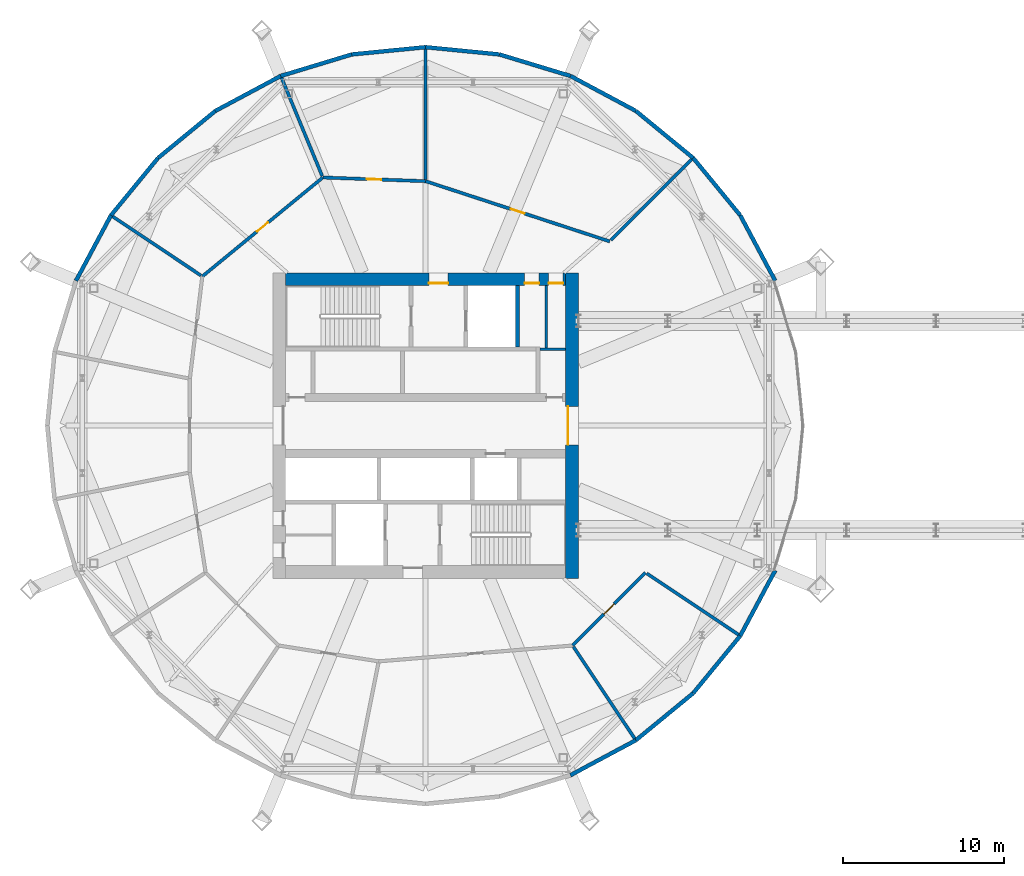
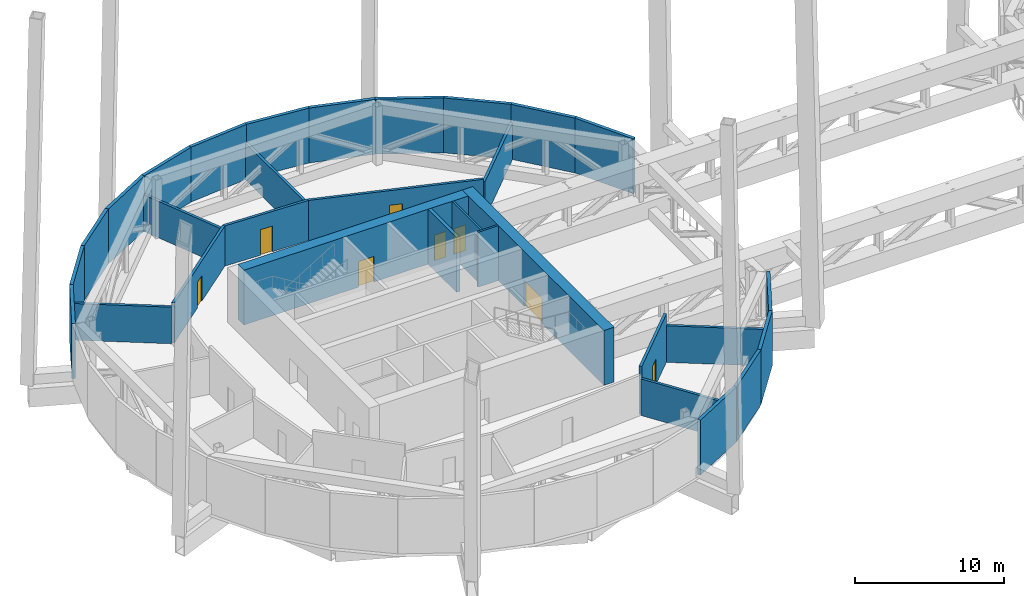
# One storey, part 14 of 19: 31 walls, 8 doors, 8 openings.
"""IFC4 building model written with IfcOpenShell, lengths in metres."""

from ifc_helpers import new_model, si_unit, direction, frame, frame_2d, origin, place, context, subcontext, project, spatial, rectangle, extrude, material, layer, layer_set, type_object, element, fill, save


model = new_model("IFC4")

# Units and contexts
model_context = context("Model", 3, precision=1e-05, world=origin(), true_north=direction((0.0, 1.0)))
body_context = subcontext(model_context, "Body", "Model", "MODEL_VIEW")
ifc_project = project(units=[si_unit("LENGTHUNIT", "METRE"), si_unit("AREAUNIT", "SQUARE_METRE"), si_unit("VOLUMEUNIT", "CUBIC_METRE"), si_unit("PLANEANGLEUNIT", "RADIAN"), si_unit("MASSUNIT", "GRAM", prefix="KILO")], contexts=[model_context])

# Site, building, storey
site_placement = place(None, origin())
site = spatial("IfcSite", under=ifc_project, at=site_placement, CompositionType="ELEMENT")
building_placement = place(site_placement, origin())
building = spatial("IfcBuilding", under=site, at=building_placement, Name="Ogive Gate Towers", CompositionType="ELEMENT")
storey_placement = place(building_placement, frame((0.0, 0.0, 130.800048828125)))
storey = spatial("IfcBuildingStorey", under=building, at=storey_placement, Name="L31", CompositionType="ELEMENT", Elevation=130.800048828125)

# Walls
ifc_material_1 = material(Name="Fire-rated block compartment wall")
ifc_layer_1 = layer(ifc_material_1, 0.199951171875)
ifc_layer_set_1 = layer_set([ifc_layer_1], Name="Compartment wall 200")
wall_type_1 = type_object("IfcWallType", Name="Compartment wall 200", PredefinedType="PARTITIONING", material=ifc_layer_set_1)
wall_1_placement = place(storey_placement, frame((-19.347900390625, 16.652099609375, 0.0), z_axis=(0.0, 0.0, 1.0), x_axis=(-0.707106781187, -0.707106781187, 0.0)))
element("IfcWall", 1, at=wall_1_placement, inside=storey, type_object=wall_type_1, Name="Partition T1-L31-001", PredefinedType="PARTITIONING", context=body_context, shape_type="SweptSolid", body=[
    extrude(rectangle(XDim=7.25927734375, YDim=0.199951171875, at=frame_2d((3.629638671875, 0.0))), origin(), (0.0, 0.0, 1.0), 3.0),
])
wall_2_placement = place(storey_placement, frame((-36.0, 23.549560546875, 0.0), z_axis=(0.0, 0.0, 1.0), x_axis=(0.0, -1.0, 0.0)))
element("IfcWall", 2, at=wall_2_placement, inside=storey, type_object=wall_type_1, Name="Partition T1-L31-002", PredefinedType="PARTITIONING", context=body_context, shape_type="SweptSolid", body=[
    extrude(rectangle(XDim=8.257568359375, YDim=0.199951171875, at=frame_2d((4.12890625, 0.0))), origin(), (0.0, 0.0, 1.0), 3.0),
])
wall_3_placement = place(storey_placement, frame((-45.011962890625, 21.7568359375, 0.0), z_axis=(0.0, 0.0, 1.0), x_axis=(0.38268790388, -0.923877680336, 0.0)))
element("IfcWall", 3, at=wall_3_placement, inside=storey, type_object=wall_type_1, Name="Partition T1-L31-003", PredefinedType="PARTITIONING", context=body_context, shape_type="SweptSolid", body=[
    extrude(rectangle(XDim=6.75732421875, YDim=0.199951171875, at=frame_2d((3.378662109375, 0.0))), origin(), (0.0, 0.0, 1.0), 3.0),
])
wall_4_placement = place(storey_placement, frame((-55.580810546875, 13.08349609375, 0.0), z_axis=(0.0, 0.0, 1.0), x_axis=(0.831471804382, -0.555566952326, 0.0)))
element("IfcWall", 4, at=wall_4_placement, inside=storey, type_object=wall_type_1, Name="Partition T1-L31-004", PredefinedType="PARTITIONING", context=body_context, shape_type="SweptSolid", body=[
    extrude(rectangle(XDim=6.7578125, YDim=0.199951171875, at=frame_2d((3.37890625, 0.0))), origin(), (0.0, 0.0, 1.0), 3.0),
])
for number, where, z_axis, x_axis, name in (
    (5, (-22.91650390625, -19.580810546875, 0.0), (0.0, 0.0, 1.0), (-0.555576221345, 0.831465611, 0.0), "Partition T1-L31-010"),
    (6, (-16.419189453125, -13.08349609375, 0.0), (0.0, 0.0, 1.0), (-0.831465611, 0.555576221345, 0.0), "Partition T1-L31-011"),
):
    element("IfcWall", number, at=place(storey_placement, frame(where, z_axis=z_axis, x_axis=x_axis)), inside=storey, type_object=wall_type_1, Name=name, PredefinedType="PARTITIONING", context=body_context, shape_type="SweptSolid", body=[
        extrude(rectangle(XDim=7.0078125, YDim=0.199951171875, at=frame_2d((3.50390625, 0.0))), origin(), (0.0, 0.0, 1.0), 3.0),
    ])

# Wall, opening, door
wall_5_placement = place(storey_placement, frame((-24.551513671875, 11.448486328125, 0.0), z_axis=(0.0, 0.0, 1.0), x_axis=(-0.950479781846, 0.310786396585, 0.0)))
wall_5 = element("IfcWall", 7, at=wall_5_placement, inside=storey, type_object=wall_type_1, Name="Partition T1-L31-012", PredefinedType="PARTITIONING", context=body_context, shape_type="SweptSolid", body=[
    extrude(rectangle(XDim=12.044921875, YDim=0.199951171875, at=frame_2d((6.0224609375, 0.0))), origin(), (0.0, 0.0, 1.0), 3.300048828125),
])
opening_1_placement = place(wall_5_placement, frame((5.572021484375, 0.0, 0.0)))
opening_1 = element("IfcOpeningElement", 8, at=opening_1_placement, cuts=wall_5, Name="Opening T1-L31-D01", PredefinedType="OPENING", context=body_context, shape_type="SweptSolid", body=[
    extrude(rectangle(XDim=0.89990234375, YDim=2.10009765625, at=frame_2d((0.449951171875, 1.050048828125))), frame((0.0, 0.10986328125, 0.0), z_axis=(0.0, -1.0, 0.0), x_axis=(1.0, 0.0, 0.0)), (0.0, 0.0, 1.0), 0.219970703125),
])
ifc_material_2 = material(Name="Steel fire door", Category="steel")
door_type_1 = type_object("IfcDoorType", Name="Fire door 900 FD30S", OperationType="NOTDEFINED", PredefinedType="DOOR", material=ifc_material_2)
door_1_placement = place(opening_1_placement, origin())
door_1 = element("IfcDoor", 9, at=door_1_placement, inside=storey, type_object=door_type_1, Name="Door T1-L31-D01", OperationType="SINGLE_SWING_RIGHT", OverallHeight=2.10009765625, OverallWidth=0.89990234375, PredefinedType="DOOR", context=body_context, shape_type="SweptSolid", body=[
    extrude(rectangle(XDim=0.89990234375, YDim=2.10009765625, at=frame_2d((0.449951171875, 1.050048828125))), frame((0.0, 0.02490234375, 0.0), z_axis=(0.0, -1.0, 0.0), x_axis=(1.0, 0.0, 0.0)), (0.0, 0.0, 1.0), 0.050048828125),
])
fill(opening_1, door_1)

wall_6_placement = place(storey_placement, frame((-36.0, 15.19189453125, 0.0), z_axis=(0.0, 0.0, 1.0), x_axis=(-0.999355241242, 0.035904063858, 0.0)))
wall_6 = element("IfcWall", 10, at=wall_6_placement, inside=storey, type_object=wall_type_1, Name="Partition T1-L31-013", PredefinedType="PARTITIONING", context=body_context, shape_type="SweptSolid", body=[
    extrude(rectangle(XDim=6.391845703125, YDim=0.199951171875, at=frame_2d((3.19580078125, 0.0))), origin(), (0.0, 0.0, 1.0), 3.300048828125),
])
opening_2_placement = place(wall_6_placement, frame((2.74609375, 0.0, 0.0)))
opening_2 = element("IfcOpeningElement", 11, at=opening_2_placement, cuts=wall_6, Name="Opening T1-L31-D02", PredefinedType="OPENING", context=body_context, shape_type="SweptSolid", body=[
    extrude(rectangle(XDim=0.89990234375, YDim=2.10009765625, at=frame_2d((0.449951171875, 1.050048828125))), frame((0.0, 0.10986328125, 0.0), z_axis=(0.0, -1.0, 0.0), x_axis=(1.0, 0.0, 0.0)), (0.0, 0.0, 1.0), 0.219970703125),
])
door_2_placement = place(opening_2_placement, origin())
door_2 = element("IfcDoor", 12, at=door_2_placement, inside=storey, type_object=door_type_1, Name="Door T1-L31-D02", OperationType="SINGLE_SWING_RIGHT", OverallHeight=2.10009765625, OverallWidth=0.89990234375, PredefinedType="DOOR", context=body_context, shape_type="SweptSolid", body=[
    extrude(rectangle(XDim=0.89990234375, YDim=2.10009765625, at=frame_2d((0.449951171875, 1.050048828125))), frame((0.0, 0.02490234375, 0.0), z_axis=(0.0, -1.0, 0.0), x_axis=(1.0, 0.0, 0.0)), (0.0, 0.0, 1.0), 0.050048828125),
])
fill(opening_2, door_2)

wall_7_placement = place(storey_placement, frame((-42.3876953125, 15.42138671875, 0.0), z_axis=(0.0, 0.0, 1.0), x_axis=(-0.773019200436, -0.634382625674, 0.0)))
wall_7 = element("IfcWall", 13, at=wall_7_placement, inside=storey, type_object=wall_type_1, Name="Partition T1-L31-014", PredefinedType="PARTITIONING", context=body_context, shape_type="SweptSolid", body=[
    extrude(rectangle(XDim=9.69091796875, YDim=0.199951171875, at=frame_2d((4.845458984375, 0.0))), origin(), (0.0, 0.0, 1.0), 3.300048828125),
])
opening_3_placement = place(wall_7_placement, frame((4.39501953125, 0.0, 0.0)))
opening_3 = element("IfcOpeningElement", 14, at=opening_3_placement, cuts=wall_7, Name="Opening T1-L31-D03", PredefinedType="OPENING", context=body_context, shape_type="SweptSolid", body=[
    extrude(rectangle(XDim=0.89990234375, YDim=2.10009765625, at=frame_2d((0.449951171875, 1.050048828125))), frame((0.0, 0.10986328125, 0.0), z_axis=(0.0, -1.0, 0.0), x_axis=(1.0, 0.0, 0.0)), (0.0, 0.0, 1.0), 0.219970703125),
])
door_3_placement = place(opening_3_placement, origin())
door_3 = element("IfcDoor", 15, at=door_3_placement, inside=storey, type_object=door_type_1, Name="Door T1-L31-D03", OperationType="SINGLE_SWING_RIGHT", OverallHeight=2.10009765625, OverallWidth=0.89990234375, PredefinedType="DOOR", context=body_context, shape_type="SweptSolid", body=[
    extrude(rectangle(XDim=0.89990234375, YDim=2.10009765625, at=frame_2d((0.449951171875, 1.050048828125))), frame((0.0, 0.02490234375, 0.0), z_axis=(0.0, -1.0, 0.0), x_axis=(1.0, 0.0, 0.0)), (0.0, 0.0, 1.0), 0.050048828125),
])
fill(opening_3, door_3)

wall_8_placement = place(storey_placement, frame((-26.865234375, -13.6708984375, 0.0), z_axis=(0.0, 0.0, 1.0), x_axis=(0.707106781187, 0.707106781187, 0.0)))
wall_8 = element("IfcWall", 16, at=wall_8_placement, inside=storey, type_object=wall_type_1, Name="Partition T1-L31-021", PredefinedType="PARTITIONING", context=body_context, shape_type="SweptSolid", body=[
    extrude(rectangle(XDim=6.4150390625, YDim=0.199951171875, at=frame_2d((3.20751953125, 0.0))), origin(), (0.0, 0.0, 1.0), 3.949951171875),
])
opening_4_placement = place(wall_8_placement, frame((2.758056640625, 0.0, 0.0)))
opening_4 = element("IfcOpeningElement", 17, at=opening_4_placement, cuts=wall_8, Name="Opening T1-L31-D10", PredefinedType="OPENING", context=body_context, shape_type="SweptSolid", body=[
    extrude(rectangle(XDim=0.89990234375, YDim=2.10009765625, at=frame_2d((0.449951171875, 1.050048828125))), frame((0.0, 0.10986328125, 0.0), z_axis=(0.0, -1.0, 0.0), x_axis=(1.0, 0.0, 0.0)), (0.0, 0.0, 1.0), 0.219970703125),
])
door_4_placement = place(opening_4_placement, origin())
door_4 = element("IfcDoor", 18, at=door_4_placement, inside=storey, type_object=door_type_1, Name="Door T1-L31-D10", OperationType="SINGLE_SWING_RIGHT", OverallHeight=2.10009765625, OverallWidth=0.89990234375, PredefinedType="DOOR", context=body_context, shape_type="SweptSolid", body=[
    extrude(rectangle(XDim=0.89990234375, YDim=2.10009765625, at=frame_2d((0.449951171875, 1.050048828125))), frame((0.0, 0.02490234375, 0.0), z_axis=(0.0, -1.0, 0.0), x_axis=(1.0, 0.0, 0.0)), (0.0, 0.0, 1.0), 0.050048828125),
])
fill(opening_4, door_4)

# Wall, openings, doors
ifc_material_3 = material(Name="Concrete C60/75", Category="concrete")
ifc_layer_2 = layer(ifc_material_3, 0.800048828125)
ifc_layer_set_2 = layer_set([ifc_layer_2], Name="Core wall 800 mm")
wall_type_2 = type_object("IfcWallType", Name="Core wall 800 mm", PredefinedType="SHEAR", material=ifc_layer_set_2)
wall_9_placement = place(storey_placement, frame((-44.699951171875, 9.10009765625, 0.0), z_axis=(0.0, 0.0, 1.0), x_axis=(1.0, 0.0, 0.0)))
wall_9 = element("IfcWall", 19, at=wall_9_placement, inside=storey, type_object=wall_type_2, Name="T1 L31 Core wall 800 mm", PredefinedType="SHEAR", context=body_context, shape_type="SweptSolid", body=[
    extrude(rectangle(XDim=17.39990234375, YDim=0.800048828125, at=frame_2d((8.699951171875, 0.0))), origin(), (0.0, 0.0, 1.0), 4.5),
])
opening_5_placement = place(wall_9_placement, frame((8.89990234375, 0.0, 0.0)))
opening_5 = element("IfcOpeningElement", 20, at=opening_5_placement, cuts=wall_9, Name="Opening KD-T1-L31-10", PredefinedType="OPENING", context=body_context, shape_type="SweptSolid", body=[
    extrude(rectangle(XDim=1.199951171875, YDim=2.10009765625, at=frame_2d((0.60009765625, 1.050048828125))), frame((0.0, 0.41015625, 0.0), z_axis=(0.0, -1.0, 0.0), x_axis=(1.0, 0.0, 0.0)), (0.0, 0.0, 1.0), 0.820068359375),
])
opening_6_placement = place(wall_9_placement, frame((14.85009765625, 0.0, 0.0)))
opening_6 = element("IfcOpeningElement", 21, at=opening_6_placement, cuts=wall_9, Name="Opening KD-T1-L31-12", PredefinedType="OPENING", context=body_context, shape_type="SweptSolid", body=[
    extrude(rectangle(XDim=0.89990234375, YDim=2.10009765625, at=frame_2d((0.449951171875, 1.050048828125))), frame((0.0, 0.41015625, 0.0), z_axis=(0.0, -1.0, 0.0), x_axis=(1.0, 0.0, 0.0)), (0.0, 0.0, 1.0), 0.820068359375),
])
opening_7_placement = place(wall_9_placement, frame((16.35009765625, 0.0, 0.0)))
opening_7 = element("IfcOpeningElement", 22, at=opening_7_placement, cuts=wall_9, Name="Opening KD-T1-L31-13", PredefinedType="OPENING", context=body_context, shape_type="SweptSolid", body=[
    extrude(rectangle(XDim=0.89990234375, YDim=2.10009765625, at=frame_2d((0.449951171875, 1.050048828125))), frame((0.0, 0.41015625, 0.0), z_axis=(0.0, -1.0, 0.0), x_axis=(1.0, 0.0, 0.0)), (0.0, 0.0, 1.0), 0.820068359375),
])
door_type_2 = type_object("IfcDoorType", Name="Core door FD60S 1200 x 2100", OperationType="NOTDEFINED", PredefinedType="DOOR", material=ifc_material_2)
door_5_placement = place(opening_5_placement, origin())
door_5 = element("IfcDoor", 23, at=door_5_placement, inside=storey, type_object=door_type_2, Name="T1 L31 Fire-fighting lobby door", OperationType="SINGLE_SWING_LEFT", OverallHeight=2.10009765625, OverallWidth=1.199951171875, PredefinedType="DOOR", context=body_context, shape_type="SweptSolid", body=[
    extrude(rectangle(XDim=1.199951171875, YDim=2.10009765625, at=frame_2d((0.60009765625, 1.050048828125))), frame((0.0, -0.22509765625, 0.0), z_axis=(0.0, -1.0, 0.0), x_axis=(1.0, 0.0, 0.0)), (0.0, 0.0, 1.0), 0.050048828125),
])
fill(opening_5, door_5)
door_type_3 = type_object("IfcDoorType", Name="Core door FD60S 900 x 2100", OperationType="NOTDEFINED", PredefinedType="DOOR", material=ifc_material_2)
door_6_placement = place(opening_6_placement, origin())
door_6 = element("IfcDoor", 24, at=door_6_placement, inside=storey, type_object=door_type_3, Name="T1 L31 Core door", OperationType="SINGLE_SWING_LEFT", OverallHeight=2.10009765625, OverallWidth=0.89990234375, PredefinedType="DOOR", context=body_context, shape_type="SweptSolid", body=[
    extrude(rectangle(XDim=0.89990234375, YDim=2.10009765625, at=frame_2d((0.449951171875, 1.050048828125))), frame((0.0, -0.22509765625, 0.0), z_axis=(0.0, -1.0, 0.0), x_axis=(1.0, 0.0, 0.0)), (0.0, 0.0, 1.0), 0.050048828125),
])
fill(opening_6, door_6)
door_7_placement = place(opening_7_placement, origin())
door_7 = element("IfcDoor", 25, at=door_7_placement, inside=storey, type_object=door_type_3, Name="T1 L31 Core door", OperationType="SINGLE_SWING_RIGHT", OverallHeight=2.10009765625, OverallWidth=0.89990234375, PredefinedType="DOOR", context=body_context, shape_type="SweptSolid", body=[
    extrude(rectangle(XDim=0.89990234375, YDim=2.10009765625, at=frame_2d((0.449951171875, 1.050048828125))), frame((0.0, -0.22509765625, 0.0), z_axis=(0.0, -1.0, 0.0), x_axis=(1.0, 0.0, 0.0)), (0.0, 0.0, 1.0), 0.050048828125),
])
fill(opening_7, door_7)

# Wall, opening, door
wall_10_placement = place(storey_placement, frame((-26.89990234375, -9.5, 0.0), z_axis=(0.0, 0.0, 1.0), x_axis=(0.0, 1.0, 0.0)))
wall_10 = element("IfcWall", 26, at=wall_10_placement, inside=storey, type_object=wall_type_2, Name="T1 L31 Core wall 800 mm", PredefinedType="SHEAR", context=body_context, shape_type="SweptSolid", body=[
    extrude(rectangle(XDim=19.0, YDim=0.800048828125, at=frame_2d((9.5, 0.0))), origin(), (0.0, 0.0, 1.0), 4.5),
])
opening_8_placement = place(wall_10_placement, frame((8.300048828125, 0.0, 0.0)))
opening_8 = element("IfcOpeningElement", 27, at=opening_8_placement, cuts=wall_10, Name="Opening KD-T1-L31-02", PredefinedType="OPENING", context=body_context, shape_type="SweptSolid", body=[
    extrude(rectangle(XDim=2.39990234375, YDim=2.10009765625, at=frame_2d((1.199951171875, 1.050048828125))), frame((0.0, 0.41015625, 0.0), z_axis=(0.0, -1.0, 0.0), x_axis=(1.0, 0.0, 0.0)), (0.0, 0.0, 1.0), 0.820068359375),
])
door_type_4 = type_object("IfcDoorType", Name="Core double door FD60S 2400 x 2100", OperationType="DOUBLE_DOOR_SINGLE_SWING", PredefinedType="DOOR", material=ifc_material_2)
door_8_placement = place(opening_8_placement, origin())
door_8 = element("IfcDoor", 28, at=door_8_placement, inside=storey, type_object=door_type_4, Name="T1 L31 Core door double", OperationType="DOUBLE_DOOR_SINGLE_SWING", OverallHeight=2.10009765625, OverallWidth=2.39990234375, PredefinedType="DOOR", context=body_context, shape_type="SweptSolid", body=[
    extrude(rectangle(XDim=2.39990234375, YDim=2.10009765625, at=frame_2d((1.199951171875, 1.050048828125))), frame((0.0, 0.27490234375, 0.0), z_axis=(0.0, -1.0, 0.0), x_axis=(1.0, 0.0, 0.0)), (0.0, 0.0, 1.0), 0.050048828125),
])
fill(opening_8, door_8)

# Walls
ifc_material_4 = material(Name="Pale metal aluminium louvre", Category="aluminium")
ifc_layer_3 = layer(ifc_material_4, 0.25)
ifc_layer_set_3 = layer_set([ifc_layer_3], Name="Plant louvre wall")
wall_type_3 = type_object("IfcWallType", Name="Plant louvre wall", PredefinedType="SOLIDWALL", material=ifc_layer_set_3)
wall_11_placement = place(storey_placement, frame((-14.265869140625, 9.002685546875, 0.0), z_axis=(0.0, 0.0, 1.0), x_axis=(-0.471401410414, 0.881918766248, 0.0)))
element("IfcWall", 29, at=wall_11_placement, inside=storey, type_object=wall_type_3, Name="Plant louvre wall", PredefinedType="SOLIDWALL", context=body_context, shape_type="SweptSolid", body=[
    extrude(rectangle(XDim=4.611328125, YDim=0.25, at=frame_2d((2.3056640625, 0.0))), origin(), (0.0, 0.0, 1.0), 4.5),
])
for number, where, z_axis, x_axis, name in (
    (30, (-16.439697265625, 13.069580078125, 0.0), (0.0, 0.0, 1.0), (-0.634407464911, 0.772998815306, 0.0), "Plant louvre wall"),
    (31, (-19.365478515625, 16.634521484375, 0.0), (0.0, 0.0, 1.0), (-0.772998815306, 0.634407464911, 0.0), "Plant louvre wall"),
):
    element("IfcWall", number, at=place(storey_placement, frame(where, z_axis=z_axis, x_axis=x_axis)), inside=storey, type_object=wall_type_3, Name=name, PredefinedType="SOLIDWALL", context=body_context, shape_type="SweptSolid", body=[
        extrude(rectangle(XDim=4.61181640625, YDim=0.25, at=frame_2d((2.305908203125, 0.0))), origin(), (0.0, 0.0, 1.0), 4.5),
    ])
wall_12_placement = place(storey_placement, frame((-22.930419921875, 19.560302734375, 0.0), z_axis=(0.0, 0.0, 1.0), x_axis=(-0.881918766248, 0.471401410414, 0.0)))
element("IfcWall", 32, at=wall_12_placement, inside=storey, type_object=wall_type_3, Name="Plant louvre wall", PredefinedType="SOLIDWALL", context=body_context, shape_type="SweptSolid", body=[
    extrude(rectangle(XDim=4.611328125, YDim=0.25, at=frame_2d((2.3056640625, 0.0))), origin(), (0.0, 0.0, 1.0), 4.5),
])
for number, where, z_axis, x_axis, name in (
    (33, (-26.997314453125, 21.734130859375, 0.0), (0.0, 0.0, 1.0), (-0.956929962472, 0.290318871111, 0.0), "Plant louvre wall"),
    (34, (-31.410400390625, 23.072998046875, 0.0), (0.0, 0.0, 1.0), (-0.995187514204, 0.097988833916, 0.0), "Plant louvre wall"),
    (35, (-36.0, 23.52490234375, 0.0), (0.0, 0.0, 1.0), (-0.995187514204, -0.097988833916, 0.0), "Plant louvre wall"),
    (36, (-40.589599609375, 23.072998046875, 0.0), (0.0, 0.0, 1.0), (-0.956929962472, -0.290318871111, 0.0), "Plant louvre wall"),
):
    element("IfcWall", number, at=place(storey_placement, frame(where, z_axis=z_axis, x_axis=x_axis)), inside=storey, type_object=wall_type_3, Name=name, PredefinedType="SOLIDWALL", context=body_context, shape_type="SweptSolid", body=[
        extrude(rectangle(XDim=4.61181640625, YDim=0.25, at=frame_2d((2.305908203125, 0.0))), origin(), (0.0, 0.0, 1.0), 4.5),
    ])
wall_13_placement = place(storey_placement, frame((-45.002685546875, 21.734130859375, 0.0), z_axis=(0.0, 0.0, 1.0), x_axis=(-0.881918766248, -0.471401410414, 0.0)))
element("IfcWall", 37, at=wall_13_placement, inside=storey, type_object=wall_type_3, Name="Plant louvre wall", PredefinedType="SOLIDWALL", context=body_context, shape_type="SweptSolid", body=[
    extrude(rectangle(XDim=4.611328125, YDim=0.25, at=frame_2d((2.3056640625, 0.0))), origin(), (0.0, 0.0, 1.0), 4.5),
])
for number, where, z_axis, x_axis, name in (
    (38, (-49.069580078125, 19.560302734375, 0.0), (0.0, 0.0, 1.0), (-0.772998815306, -0.634407464911, 0.0), "Plant louvre wall"),
    (39, (-52.634521484375, 16.634521484375, 0.0), (0.0, 0.0, 1.0), (-0.634407464911, -0.772998815306, 0.0), "Plant louvre wall"),
):
    element("IfcWall", number, at=place(storey_placement, frame(where, z_axis=z_axis, x_axis=x_axis)), inside=storey, type_object=wall_type_3, Name=name, PredefinedType="SOLIDWALL", context=body_context, shape_type="SweptSolid", body=[
        extrude(rectangle(XDim=4.61181640625, YDim=0.25, at=frame_2d((2.305908203125, 0.0))), origin(), (0.0, 0.0, 1.0), 4.5),
    ])
for number, where, z_axis, x_axis, name in (
    (40, (-55.560302734375, 13.069580078125, 0.0), (0.0, 0.0, 1.0), (-0.471401410414, -0.881918766248, 0.0), "Plant louvre wall"),
    (41, (-26.997314453125, -21.734130859375, 0.0), (0.0, 0.0, 1.0), (0.881918766248, 0.471401410414, 0.0), "Plant louvre wall"),
):
    element("IfcWall", number, at=place(storey_placement, frame(where, z_axis=z_axis, x_axis=x_axis)), inside=storey, type_object=wall_type_3, Name=name, PredefinedType="SOLIDWALL", context=body_context, shape_type="SweptSolid", body=[
        extrude(rectangle(XDim=4.611328125, YDim=0.25, at=frame_2d((2.3056640625, 0.0))), origin(), (0.0, 0.0, 1.0), 4.5),
    ])
for number, where, z_axis, x_axis, name in (
    (42, (-22.930419921875, -19.560302734375, 0.0), (0.0, 0.0, 1.0), (0.772998815306, 0.634407464911, 0.0), "Plant louvre wall"),
    (43, (-19.365478515625, -16.634521484375, 0.0), (0.0, 0.0, 1.0), (0.634407464911, 0.772998815306, 0.0), "Plant louvre wall"),
):
    element("IfcWall", number, at=place(storey_placement, frame(where, z_axis=z_axis, x_axis=x_axis)), inside=storey, type_object=wall_type_3, Name=name, PredefinedType="SOLIDWALL", context=body_context, shape_type="SweptSolid", body=[
        extrude(rectangle(XDim=4.61181640625, YDim=0.25, at=frame_2d((2.305908203125, 0.0))), origin(), (0.0, 0.0, 1.0), 4.5),
    ])
wall_14_placement = place(storey_placement, frame((-16.439697265625, -13.069580078125, 0.0), z_axis=(0.0, 0.0, 1.0), x_axis=(0.471401410414, 0.881918766248, 0.0)))
element("IfcWall", 44, at=wall_14_placement, inside=storey, type_object=wall_type_3, Name="Plant louvre wall", PredefinedType="SOLIDWALL", context=body_context, shape_type="SweptSolid", body=[
    extrude(rectangle(XDim=4.611328125, YDim=0.25, at=frame_2d((2.3056640625, 0.0))), origin(), (0.0, 0.0, 1.0), 4.5),
])
ifc_material_5 = material(Name="Gypsum board partition")
ifc_layer_4 = layer(ifc_material_5, 0.14990234375)
ifc_layer_set_4 = layer_set([ifc_layer_4], Name="Room partition 150 mm")
wall_type_4 = type_object("IfcWallType", Name="Room partition 150 mm", PredefinedType="PARTITIONING", material=ifc_layer_set_4)
wall_15_placement = place(storey_placement, frame((-28.875, 4.75, 0.0), z_axis=(0.0, 0.0, 1.0), x_axis=(1.0, 0.0, 0.0)))
element("IfcWall", 45, at=wall_15_placement, inside=storey, type_object=wall_type_4, Name="T1 L31 Room partition 150 mm", PredefinedType="PARTITIONING", context=body_context, shape_type="SweptSolid", body=[
    extrude(rectangle(XDim=1.574951171875, YDim=0.14990234375, at=frame_2d((0.78759765625, 0.0))), origin(), (0.0, 0.0, 1.0), 4.5),
])
wall_16_placement = place(storey_placement, frame((-28.5, 4.824951171875, 0.0), z_axis=(0.0, 0.0, 1.0), x_axis=(0.0, 1.0, 0.0)))
element("IfcWall", 46, at=wall_16_placement, inside=storey, type_object=wall_type_4, Name="T1 L31 Room partition 150 mm", PredefinedType="PARTITIONING", context=body_context, shape_type="SweptSolid", body=[
    extrude(rectangle(XDim=3.875, YDim=0.14990234375, at=frame_2d((1.9375, 0.0))), origin(), (0.0, 0.0, 1.0), 4.5),
])
ifc_layer_5 = layer(ifc_material_3, 0.25)
ifc_layer_set_5 = layer_set([ifc_layer_5], Name="Shaft wall 250 mm")
wall_type_5 = type_object("IfcWallType", Name="Shaft wall 250 mm", PredefinedType="SHEAR", material=ifc_layer_set_5)
wall_17_placement = place(storey_placement, frame((-30.300048828125, 4.875, 0.0), z_axis=(0.0, 0.0, 1.0), x_axis=(0.0, 1.0, 0.0)))
element("IfcWall", 47, at=wall_17_placement, inside=storey, type_object=wall_type_5, Name="T1 L31 Shaft wall 250 mm", PredefinedType="SHEAR", context=body_context, shape_type="SweptSolid", body=[
    extrude(rectangle(XDim=3.824951171875, YDim=0.25, at=frame_2d((1.91259765625, 0.0))), origin(), (0.0, 0.0, 1.0), 4.5),
])

save(model, "model.ifc")
